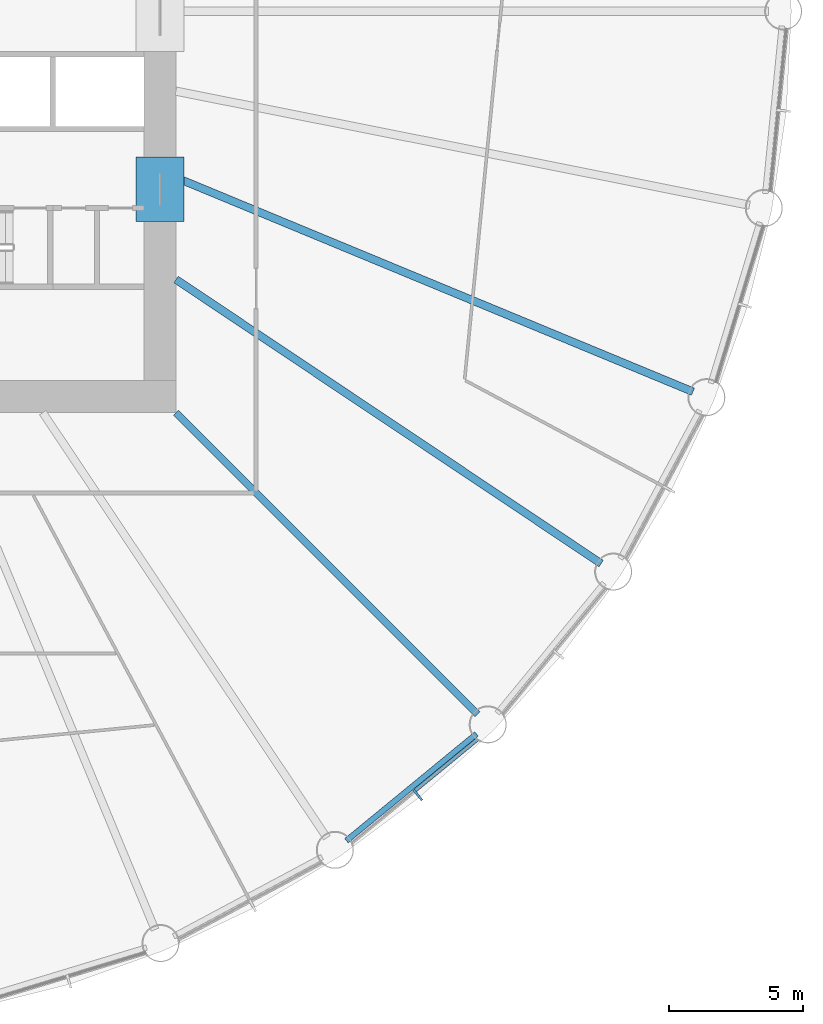
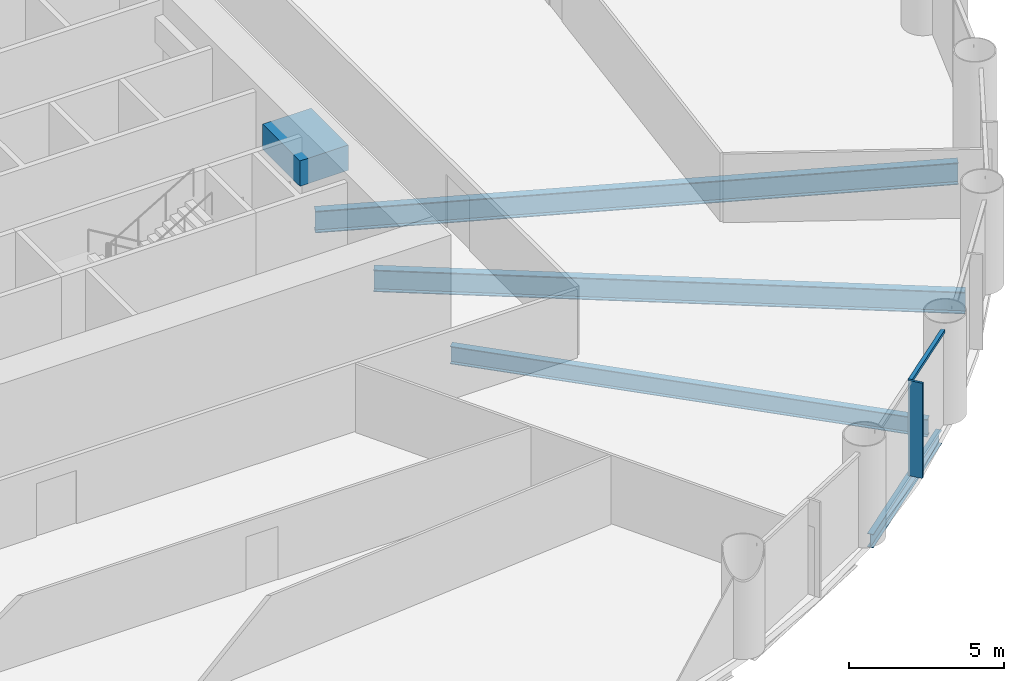
# One storey, part 3 of 14: 5 beams, 2 members, 1 element without a shape of its own.
"""IFC4 building model written with IfcOpenShell, lengths in metres."""

from ifc_helpers import new_model, si_unit, direction, frame, origin, origin_2d, place, context, subcontext, project, spatial, rectangle, i_section, extrude, material, material_profile, profile_set, type_object, element, aggregate, save


model = new_model("IFC4")

# Units and contexts
model_context = context("Model", 3, precision=1e-05, world=origin(), true_north=direction((0.0, 1.0)))
body_context = subcontext(model_context, "Body", "Model", "MODEL_VIEW")
ifc_project = project(units=[si_unit("LENGTHUNIT", "METRE"), si_unit("AREAUNIT", "SQUARE_METRE"), si_unit("VOLUMEUNIT", "CUBIC_METRE"), si_unit("PLANEANGLEUNIT", "RADIAN"), si_unit("MASSUNIT", "GRAM", prefix="KILO")], contexts=[model_context])

# Site, building, storey
site_placement = place(None, origin())
site = spatial("IfcSite", under=ifc_project, at=site_placement, CompositionType="ELEMENT")
building_placement = place(site_placement, origin())
building = spatial("IfcBuilding", under=site, at=building_placement, Name="Corvane Civic Tower", CompositionType="ELEMENT")
storey_placement = place(building_placement, frame((0.0, 0.0, 49.0)))
storey = spatial("IfcBuildingStorey", under=building, at=storey_placement, Name="L10", CompositionType="ELEMENT", Elevation=49.0)

# Beams
ifc_material_1 = material(Name="Concrete C80/95", Category="concrete")
ifc_material_profile_1 = material_profile(ifc_material_1, rectangle(XDim=1.800048828125, YDim=1.0, at=origin_2d()), Name="COUPLING BEAM 1800X1000")
ifc_profile_set_1 = profile_set([ifc_material_profile_1], Name="Concrete C80/95")
beam_type_1 = type_object("IfcBeamType", Name="COUPLING BEAM COUPLING BEAM 1800X1000", PredefinedType="BEAM", material=ifc_profile_set_1)
beam_1_placement = place(storey_placement, frame((14.39990234375, -7.85009765625, 2.60009765625), z_axis=(0.0, 1.0, 0.0), x_axis=(-1.0, 0.0, 0.0)))
element("IfcBeam", 1, at=beam_1_placement, inside=storey, type_object=beam_type_1, Name="BM-L10-cpl-CW-ES", PredefinedType="BEAM", context=body_context, shape_type="SweptSolid", body=[
    extrude(rectangle(XDim=1.800048828125, YDim=1.0, at=origin_2d()), origin(), (0.0, 0.0, 1.0), 2.400146484375),
])
ifc_material_2 = material(Name="Steel ASTM A992 Gr 50", Category="steel")
ifc_material_profile_2 = material_profile(ifc_material_2, i_section(OverallWidth=0.209228515625, OverallDepth=0.533447265625, WebThickness=0.01025390625, FlangeThickness=0.015625, at=origin_2d()), Name="W21X62")
ifc_profile_set_2 = profile_set([ifc_material_profile_2], Name="Steel ASTM A992 Gr 50")
beam_type_2 = type_object("IfcBeamType", Name="EDGE BEAM W21X62", PredefinedType="BEAM", material=ifc_profile_set_2)
beam_2_placement = place(storey_placement, frame((26.23291015625, -27.0068359375, -0.566650390625), z_axis=(-0.773015785286, -0.634386787141, 0.0), x_axis=(0.634386787141, -0.773015785286, 0.0)))
element("IfcBeam", 2, at=beam_2_placement, inside=storey, type_object=beam_type_2, Name="BM-L10-E13", PredefinedType="BEAM", context=body_context, shape_type="SweptSolid", body=[
    extrude(i_section(OverallWidth=0.209228515625, OverallDepth=0.533447265625, WebThickness=0.01025390625, FlangeThickness=0.015625, at=origin_2d()), origin(), (0.0, 0.0, 1.0), 6.290771484375),
])
ifc_material_3 = material(Name="Steel ASTM A992 Gr 50", Category="steel")
ifc_material_profile_3 = material_profile(ifc_material_3, i_section(OverallWidth=0.256591796875, OverallDepth=0.693359375, WebThickness=0.014404296875, FlangeThickness=0.023681640625, at=origin_2d()), Name="W27X114")
ifc_profile_set_3 = profile_set([ifc_material_profile_3], Name="Steel ASTM A992 Gr 50")
beam_type_3 = type_object("IfcBeamType", Name="FLOOR GIRDER W27X114", PredefinedType="BEAM", material=ifc_profile_set_3)
beam_3_placement = place(storey_placement, frame((15.0, -15.0, -0.646728515625), z_axis=(0.707106781187, -0.707106781187, 0.0), x_axis=(0.707106781187, 0.707106781187, 0.0)))
element("IfcBeam", 3, at=beam_3_placement, inside=storey, type_object=beam_type_3, Name="BM-L10-G13", PredefinedType="BEAM", context=body_context, shape_type="SweptSolid", body=[
    extrude(i_section(OverallWidth=0.256591796875, OverallDepth=0.693359375, WebThickness=0.014404296875, FlangeThickness=0.023681640625, at=origin_2d()), origin(), (0.0, 0.0, 1.0), 15.936767578125),
])
ifc_material_4 = material(Name="Steel ASTM A992 Gr 50", Category="steel")
ifc_material_profile_4 = material_profile(ifc_material_4, i_section(OverallWidth=0.2919921875, OverallDepth=0.8583984375, WebThickness=0.01708984375, FlangeThickness=0.031005859375, at=origin_2d()), Name="W33X169")
ifc_profile_set_4 = profile_set([ifc_material_profile_4], Name="Steel ASTM A992 Gr 50")
beam_type_4 = type_object("IfcBeamType", Name="FLOOR GIRDER W33X169", PredefinedType="BEAM", material=ifc_profile_set_4)
beam_4_placement = place(storey_placement, frame((15.0, -6.213134765625, -0.729248046875), z_axis=(0.923875834355, -0.382692360381, 0.0), x_axis=(0.382692360381, 0.923875834355, 0.0)))
element("IfcBeam", 4, at=beam_4_placement, inside=storey, type_object=beam_type_4, Name="BM-L10-G11", PredefinedType="BEAM", context=body_context, shape_type="SweptSolid", body=[
    extrude(i_section(OverallWidth=0.2919921875, OverallDepth=0.8583984375, WebThickness=0.01708984375, FlangeThickness=0.031005859375, at=origin_2d()), origin(), (0.0, 0.0, 1.0), 20.9140625),
])
beam_5_placement = place(storey_placement, frame((15.0, -10.022705078125, -0.729248046875), z_axis=(0.831471985418, -0.555566681385, 0.0), x_axis=(0.555566681385, 0.831471985418, 0.0)))
element("IfcBeam", 5, at=beam_5_placement, inside=storey, type_object=beam_type_4, Name="BM-L10-G12", PredefinedType="BEAM", context=body_context, shape_type="SweptSolid", body=[
    extrude(i_section(OverallWidth=0.2919921875, OverallDepth=0.8583984375, WebThickness=0.01708984375, FlangeThickness=0.031005859375, at=origin_2d()), origin(), (0.0, 0.0, 1.0), 19.109619140625),
])

# Curtain wall, members
ifc_material_5 = material(Name="Anodised aluminium bronze", Category="aluminium")
curtain_wall_type = type_object("IfcCurtainWallType", Name="TOWER CW-T1 STICK CURTAIN WALL", PredefinedType="NOTDEFINED", material=ifc_material_5)
curtain_wall_placement = place(storey_placement, origin())
curtain_wall = element("IfcCurtainWall", 6, at=curtain_wall_placement, inside=storey, type_object=curtain_wall_type, Name="Curtain wall CW-T1 L10 bay 13", PredefinedType="NOTDEFINED")
ifc_material_6 = material(Name="Anodised aluminium bronze", Category="aluminium")
ifc_material_profile_5 = material_profile(ifc_material_6, rectangle(XDim=0.139892578125, YDim=0.1201171875, at=origin_2d()), Name="TOWER CW-T1 TRANSOM 140x120")
ifc_profile_set_5 = profile_set([ifc_material_profile_5], Name="Anodised aluminium bronze")
member_type_1 = type_object("IfcMemberType", Name="TOWER CW-T1 TRANSOM 140x120", PredefinedType="USERDEFINED", material=ifc_profile_set_5)
member_1_placement = place(storey_placement, frame((26.271728515625, -27.20654296875, 3.68994140625), z_axis=(-0.773001943873, -0.634403652865, 0.0), x_axis=(0.634403652865, -0.773001943873, 0.0)))
member_1 = element("IfcMember", 7, at=member_1_placement, type_object=member_type_1, Name="Transom CW-T1 L10 13.1", ObjectType="TRANSOM", PredefinedType="USERDEFINED", context=body_context, shape_type="SweptSolid", body=[
    extrude(rectangle(XDim=0.139892578125, YDim=0.1201171875, at=origin_2d()), origin(), (0.0, 0.0, 1.0), 3.008544921875),
])
ifc_material_7 = material(Name="Anodised aluminium bronze", Category="aluminium")
ifc_material_profile_6 = material_profile(ifc_material_7, rectangle(XDim=0.080078125, YDim=0.5, at=origin_2d()), Name="TOWER FIN MULLION 80x500 BRONZE")
ifc_profile_set_6 = profile_set([ifc_material_profile_6], Name="Anodised aluminium bronze")
member_type_2 = type_object("IfcMemberType", Name="TOWER FIN MULLION 80x500 BRONZE", PredefinedType="MULLION", material=ifc_profile_set_6)
member_2_placement = place(storey_placement, frame((24.0419921875, -29.295166015625, 0.0), z_axis=(0.0, 0.0, 1.0), x_axis=(-0.773007224463, -0.634397218569, 0.0)))
member_2 = element("IfcMember", 8, at=member_2_placement, type_object=member_type_2, Name="Fin mullion 13 L10", PredefinedType="MULLION", context=body_context, shape_type="SweptSolid", body=[
    extrude(rectangle(XDim=0.080078125, YDim=0.5, at=origin_2d()), origin(), (0.0, 0.0, 1.0), 3.75),
])
aggregate(curtain_wall, [member_2, member_1])

save(model, "model.ifc")
